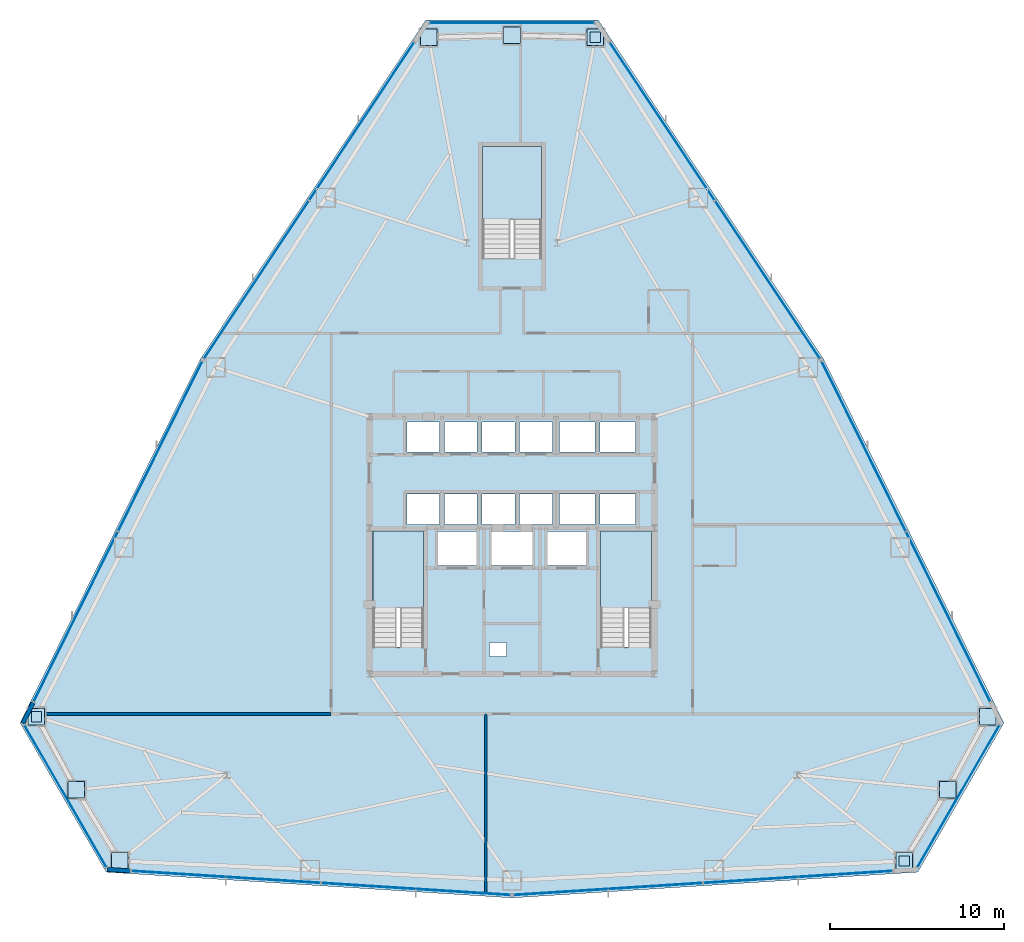
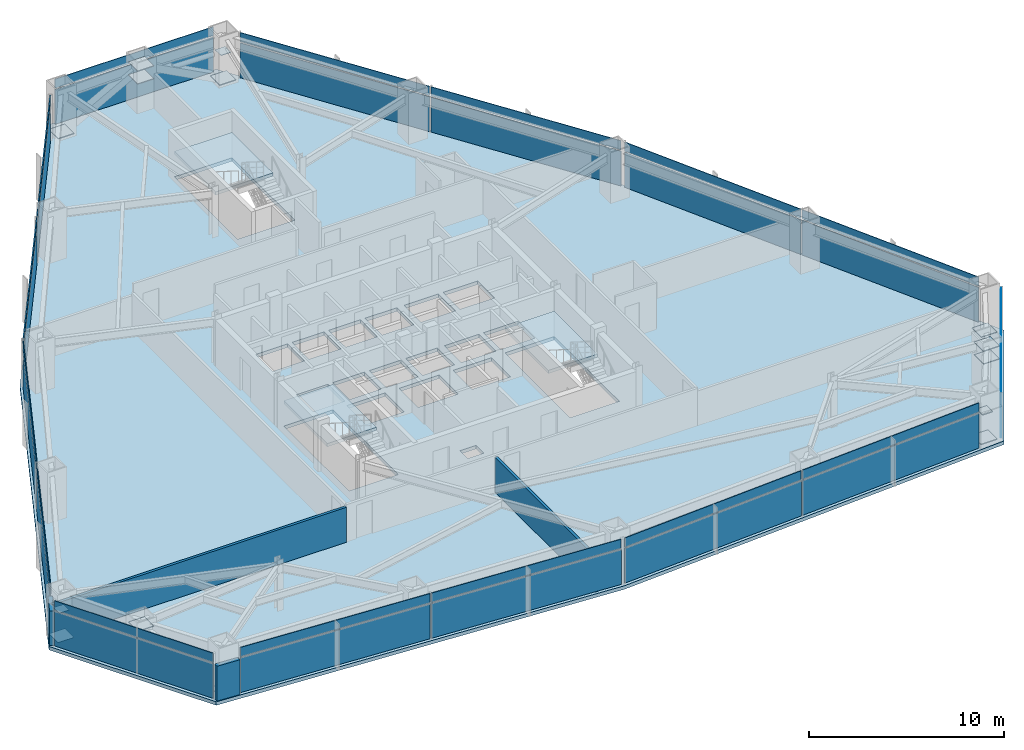
# One storey, part 8 of 12: 45 plates, 4 slabs, 4 walls, 12 elements without a shape of their own.
"""IFC4 building model written with IfcOpenShell, lengths in metres."""

from ifc_helpers import new_model, si_unit, direction, frame, frame_2d, origin, origin_2d, place, context, subcontext, project, spatial, polyline, rectangle, outline, extrude, source, transform, mapped, material, layer, layer_set, type_object, type_shapes, element, aggregate, save


model = new_model("IFC4")

# Units and contexts
model_context = context("Model", 3, precision=1e-05, world=origin(), true_north=direction((0.0, 1.0)))
body_context = subcontext(model_context, "Body", "Model", "MODEL_VIEW")
ifc_project = project(units=[si_unit("LENGTHUNIT", "METRE"), si_unit("AREAUNIT", "SQUARE_METRE"), si_unit("VOLUMEUNIT", "CUBIC_METRE"), si_unit("PLANEANGLEUNIT", "RADIAN"), si_unit("MASSUNIT", "GRAM", prefix="KILO")], contexts=[model_context])

# Site, building, storey
site_placement = place(None, origin())
site = spatial("IfcSite", under=ifc_project, at=site_placement, CompositionType="ELEMENT")
building_placement = place(site_placement, origin())
building = spatial("IfcBuilding", under=site, at=building_placement, Name="Varakhsha Concourse Tower", CompositionType="ELEMENT")
storey_placement = place(building_placement, frame((0.0, 0.0, 65.60009765625)))
storey = spatial("IfcBuildingStorey", under=building, at=storey_placement, Name="L18", CompositionType="ELEMENT", Elevation=65.60009765625)

# Slab
ifc_material_1 = material(Name="Concrete fc 45 MPa", Category="concrete")
ifc_layer_1 = layer(ifc_material_1, 0.219970703125, Name="SL-FLR-220")
ifc_layer_set_1 = layer_set([ifc_layer_1], Name="Concrete fc 45 MPa")
slab_type_1 = type_object("IfcSlabType", Name="SL-FLR-220", PredefinedType="FLOOR", material=ifc_layer_set_1)
slab_1_placement = place(storey_placement, frame((0.0, 0.0, -0.22021484375)))
element("IfcSlab", 1, at=slab_1_placement, inside=storey, type_object=slab_type_1, Name="L18 Composite Structural Slab", PredefinedType="FLOOR", context=body_context, shape_type="SweptSolid", body=[
    extrude(outline(polyline([(44.95703125, 54.013916015625), (35.04296875, 54.013916015625), (22.088623046875, 34.541015625), (11.701904296875, 13.5859375), (16.658935546875, 5.0), (40.0, 3.517822265625), (63.341064453125, 5.0), (68.298095703125, 13.5859375), (57.911376953125, 34.541015625), (44.95703125, 54.013916015625)]), holes=[polyline([(34.919921875, 17.93994140625), (34.919921875, 24.6298828125), (32.0, 24.6298828125), (32.0, 17.93994140625), (34.919921875, 17.93994140625)]), polyline([(48.02001953125, 17.93994140625), (48.02001953125, 24.6298828125), (45.10009765625, 24.6298828125), (45.10009765625, 17.93994140625), (48.02001953125, 17.93994140625)]), polyline([(41.699951171875, 40.300048828125), (41.699951171875, 46.75), (38.300048828125, 46.75), (38.300048828125, 40.300048828125), (41.699951171875, 40.300048828125)]), polyline([(33.9599609375, 29.159912109375), (35.840087890625, 29.159912109375), (35.840087890625, 30.89990234375), (33.9599609375, 30.89990234375), (33.9599609375, 29.159912109375)]), polyline([(36.1201171875, 29.159912109375), (38.0, 29.159912109375), (38.0, 30.89990234375), (36.1201171875, 30.89990234375), (36.1201171875, 29.159912109375)]), polyline([(38.280029296875, 29.159912109375), (40.159912109375, 29.159912109375), (40.159912109375, 30.89990234375), (38.280029296875, 30.89990234375), (38.280029296875, 29.159912109375)]), polyline([(40.43994140625, 29.159912109375), (42.320068359375, 29.159912109375), (42.320068359375, 30.89990234375), (40.43994140625, 30.89990234375), (40.43994140625, 29.159912109375)]), polyline([(33.9599609375, 25.0), (35.840087890625, 25.0), (35.840087890625, 26.739990234375), (33.9599609375, 26.739990234375), (33.9599609375, 25.0)]), polyline([(36.1201171875, 25.0), (38.0, 25.0), (38.0, 26.739990234375), (36.1201171875, 26.739990234375), (36.1201171875, 25.0)]), polyline([(38.280029296875, 25.0), (40.159912109375, 25.0), (40.159912109375, 26.739990234375), (38.280029296875, 26.739990234375), (38.280029296875, 25.0)]), polyline([(40.43994140625, 25.0), (42.320068359375, 25.0), (42.320068359375, 26.739990234375), (40.43994140625, 26.739990234375), (40.43994140625, 25.0)]), polyline([(42.739990234375, 29.159912109375), (44.780029296875, 29.159912109375), (44.780029296875, 30.89990234375), (42.739990234375, 30.89990234375), (42.739990234375, 29.159912109375)]), polyline([(45.06005859375, 29.159912109375), (47.10009765625, 29.159912109375), (47.10009765625, 30.89990234375), (45.06005859375, 30.89990234375), (45.06005859375, 29.159912109375)]), polyline([(42.739990234375, 25.0), (44.780029296875, 25.0), (44.780029296875, 26.739990234375), (42.739990234375, 26.739990234375), (42.739990234375, 25.0)]), polyline([(45.06005859375, 25.0), (47.10009765625, 25.0), (47.10009765625, 26.739990234375), (45.06005859375, 26.739990234375), (45.06005859375, 25.0)]), polyline([(35.7099609375, 22.639892578125), (37.989990234375, 22.639892578125), (37.989990234375, 24.60009765625), (35.7099609375, 24.60009765625), (35.7099609375, 22.639892578125)]), polyline([(42.010009765625, 22.639892578125), (44.2900390625, 22.639892578125), (44.2900390625, 24.60009765625), (42.010009765625, 24.60009765625), (42.010009765625, 22.639892578125)]), polyline([(38.81005859375, 22.639892578125), (41.18994140625, 22.639892578125), (41.18994140625, 24.60009765625), (38.81005859375, 24.60009765625), (38.81005859375, 22.639892578125)]), polyline([(38.719970703125, 17.39990234375), (39.679931640625, 17.39990234375), (39.679931640625, 18.199951171875), (38.719970703125, 18.199951171875), (38.719970703125, 17.39990234375)])]), origin(), (0.0, 0.0, 1.0), 0.22021484375),
])

# Stair, slab
stair_type_1 = type_object("IfcStairType", Name="ST-DOGLEG-1360", PredefinedType="HALF_TURN_STAIR", material=ifc_material_1)
stair_1_placement = place(storey_placement, origin())
stair_1 = element("IfcStair", 2, at=stair_1_placement, inside=storey, type_object=stair_type_1, Name="L18 Protected Exit Stair ST1", PredefinedType="HALF_TURN_STAIR")
ifc_layer_2 = layer(ifc_material_1, 0.199951171875, Name="SL-LAND-200")
ifc_layer_set_2 = layer_set([ifc_layer_2], Name="Concrete fc 45 MPa")
slab_type_2 = type_object("IfcSlabType", Name="SL-LAND-200", PredefinedType="LANDING", material=ifc_layer_set_2)
slab_2_placement = place(storey_placement, frame((0.0, 0.0, 1.39990234375)))
slab_2 = element("IfcSlab", 3, at=slab_2_placement, type_object=slab_type_2, Name="ST1 landing 1", PredefinedType="LANDING", context=body_context, shape_type="SweptSolid", body=[
    extrude(outline(polyline([(34.919921875, 20.179931640625), (34.919921875, 24.6298828125), (32.0, 24.6298828125), (32.0, 20.179931640625), (34.919921875, 20.179931640625)])), origin(), (0.0, 0.0, 1.0), 0.199951171875),
])
aggregate(stair_1, [slab_2])

stair_2_placement = place(storey_placement, origin())
stair_2 = element("IfcStair", 4, at=stair_2_placement, inside=storey, type_object=stair_type_1, Name="L18 Protected Exit Stair ST2", PredefinedType="HALF_TURN_STAIR")
slab_3_placement = place(storey_placement, frame((0.0, 0.0, 1.39990234375)))
slab_3 = element("IfcSlab", 5, at=slab_3_placement, type_object=slab_type_2, Name="ST2 landing 1", PredefinedType="LANDING", context=body_context, shape_type="SweptSolid", body=[
    extrude(outline(polyline([(48.02001953125, 20.179931640625), (48.02001953125, 24.6298828125), (45.10009765625, 24.6298828125), (45.10009765625, 20.179931640625), (48.02001953125, 20.179931640625)])), origin(), (0.0, 0.0, 1.0), 0.199951171875),
])
aggregate(stair_2, [slab_3])

stair_type_2 = type_object("IfcStairType", Name="ST-DOGLEG-1600", PredefinedType="HALF_TURN_STAIR", material=ifc_material_1)
stair_3_placement = place(storey_placement, origin())
stair_3 = element("IfcStair", 6, at=stair_3_placement, inside=storey, type_object=stair_type_2, Name="L18 Protected Exit Stair ST5", PredefinedType="HALF_TURN_STAIR")
slab_4_placement = place(storey_placement, frame((0.0, 0.0, 1.39990234375)))
slab_4 = element("IfcSlab", 7, at=slab_4_placement, type_object=slab_type_2, Name="ST5 landing 1", PredefinedType="LANDING", context=body_context, shape_type="SweptSolid", body=[
    extrude(outline(polyline([(41.699951171875, 42.5400390625), (41.699951171875, 46.75), (38.300048828125, 46.75), (38.300048828125, 42.5400390625), (41.699951171875, 42.5400390625)])), origin(), (0.0, 0.0, 1.0), 0.199951171875),
])
aggregate(stair_3, [slab_4])

# Plates
ifc_material_2 = material(Name="Structural Steel ASTM A572 Grade 50", Category="steel")
ifc_layer_3 = layer(ifc_material_2, 0.030029296875, Name="PL-ENDCAP-950")
ifc_layer_set_3 = layer_set([ifc_layer_3], Name="Structural Steel ASTM A572 Grade 50")
plate_type_1 = type_object("IfcPlateType", Name="PL-ENDCAP-950", PredefinedType="USERDEFINED", material=ifc_layer_set_3)
shared_shape_1 = source(origin(), body_context, "Body", "SweptSolid", [
    extrude(rectangle(XDim=0.949951171875, YDim=0.949951171875, at=origin_2d()), origin(), (0.0, 0.0, 1.0), 0.030029296875),
])
type_shapes(plate_type_1, [shared_shape_1])
for number, where, z_axis, x_axis, name in (
    (8, (44.791015625, 53.015625, 0.10498046875), (0.0, 0.0, 1.0), (1.0, 0.0, 0.0), "Hollow Section End Cap GP-NODE-L18-0130"),
    (9, (40.0, 53.134033203125, 2.5849609375), (0.0, 0.0, 1.0), (1.0, 0.0, 0.0), "Hollow Section End Cap GP-NODE-L18-0131"),
    (10, (35.208984375, 53.015625, 0.10498046875), (0.0, 0.0, 1.0), (1.0, 0.0, 0.0), "Hollow Section End Cap GP-NODE-L18-0132"),
    (11, (12.6494140625, 13.94140625, 0.10498046875), (0.0, 0.0, 1.0), (1.0, 0.0, 0.0), "Hollow Section End Cap GP-NODE-L18-0133"),
    (12, (14.9423828125, 9.73291015625, 2.5849609375), (0.0, 0.0, 1.0), (1.0, 0.0, 0.0), "Hollow Section End Cap GP-NODE-L18-0134"),
    (13, (17.4404296875, 5.642822265625, 0.10498046875), (0.0, 0.0, 1.0), (1.0, 0.0, 0.0), "Hollow Section End Cap GP-NODE-L18-0135"),
    (14, (62.5595703125, 5.642822265625, 0.10498046875), (0.0, 0.0, 1.0), (1.0, 0.0, 0.0), "Hollow Section End Cap GP-NODE-L18-0136"),
    (15, (65.0576171875, 9.73291015625, 2.5849609375), (0.0, 0.0, 1.0), (1.0, 0.0, 0.0), "Hollow Section End Cap GP-NODE-L18-0137"),
    (16, (67.3505859375, 13.94140625, 0.10498046875), (0.0, 0.0, 1.0), (1.0, 0.0, 0.0), "Hollow Section End Cap GP-NODE-L18-0138"),
    (17, (40.0, 53.134033203125, 1.78466796875), (0.0, 0.0, 1.0), (1.0, 0.0, 0.0), "Hollow Section End Cap GP-NODE-L18-0139"),
    (18, (14.9423828125, 9.73291015625, 1.78466796875), (0.0, 0.0, 1.0), (1.0, 0.0, 0.0), "Hollow Section End Cap GP-NODE-L18-0140"),
    (19, (65.0576171875, 9.73291015625, 1.78466796875), (0.0, 0.0, 1.0), (1.0, 0.0, 0.0), "Hollow Section End Cap GP-NODE-L18-0141"),
):
    element("IfcPlate", number, at=place(storey_placement, frame(where, z_axis=z_axis, x_axis=x_axis)), inside=storey, type_object=plate_type_1, Name=name, ObjectType="END PLATE", PredefinedType="USERDEFINED", context=body_context, shape_type="MappedRepresentation", body=[
        mapped(shared_shape_1, transform((0.0, 0.0, 0.0), scale=1.0)),
    ])
ifc_layer_4 = layer(ifc_material_2, 0.030029296875, Name="PL-BASE-600")
ifc_layer_set_4 = layer_set([ifc_layer_4], Name="Structural Steel ASTM A572 Grade 50")
plate_type_2 = type_object("IfcPlateType", Name="PL-BASE-600", PredefinedType="SHEET", material=ifc_layer_set_4)
shared_shape_2 = source(origin(), body_context, "Body", "SweptSolid", [
    extrude(rectangle(XDim=0.60009765625, YDim=0.60009765625, at=origin_2d()), origin(), (0.0, 0.0, 1.0), 0.030029296875),
])
type_shapes(plate_type_2, [shared_shape_2])
for number, where, z_axis, x_axis, name in (
    (20, (44.791015625, 53.015625, 1.78466796875), (0.0, 0.0, 1.0), (1.0, 0.0, 0.0), "Hollow Section End Cap BP-WTIE-L18-1"),
    (21, (12.6494140625, 13.94140625, 1.78466796875), (0.0, 0.0, 1.0), (1.0, 0.0, 0.0), "Hollow Section End Cap BP-WTIE-L18-2"),
    (22, (62.5595703125, 5.642822265625, 1.78466796875), (0.0, 0.0, 1.0), (1.0, 0.0, 0.0), "Hollow Section End Cap BP-WTIE-L18-3"),
):
    element("IfcPlate", number, at=place(storey_placement, frame(where, z_axis=z_axis, x_axis=x_axis)), inside=storey, type_object=plate_type_2, Name=name, PredefinedType="SHEET", context=body_context, shape_type="MappedRepresentation", body=[
        mapped(shared_shape_2, transform((0.0, 0.0, 0.0), scale=1.0)),
    ])

# Curtain wall, plate
ifc_material_3 = material(Name="Anodised Bronze Architectural Aluminium AA 6063-T6", Category="aluminium")
ifc_layer_5 = layer(ifc_material_3, 0.219970703125, Name="CW-SYS-02")
ifc_layer_set_5 = layer_set([ifc_layer_5], Name="Anodised Bronze Architectural Aluminium AA 6063-T6")
curtain_wall_type = type_object("IfcCurtainWallType", Name="CW-SYS-02", PredefinedType="NOTDEFINED", material=ifc_layer_set_5)
curtain_wall_1_placement = place(storey_placement, origin())
curtain_wall_1 = element("IfcCurtainWall", 23, at=curtain_wall_1_placement, inside=storey, type_object=curtain_wall_type, Name="L18 Chamfer Curtain Wall F1", PredefinedType="NOTDEFINED")
ifc_material_4 = material(Name="Glazed Turquoise-Bronze Ceramic Spandrel Panel 38 mm", Category="ceramic")
ifc_layer_6 = layer(ifc_material_4, 0.0380859375, Name="CWP-SPN-38")
ifc_layer_set_6 = layer_set([ifc_layer_6], Name="Glazed Turquoise-Bronze Ceramic Spandrel Panel 38 mm")
plate_type_3 = type_object("IfcPlateType", Name="CWP-SPN-38", PredefinedType="USERDEFINED", material=ifc_layer_set_6)
shared_shape_3 = source(origin(), body_context, "Body", "SweptSolid", [
    extrude(rectangle(XDim=9.395263671875, YDim=0.0380859375, at=origin_2d()), origin(), (0.0, 0.0, 1.0), 0.5810546875),
])
plate_1_placement = place(storey_placement, frame((40.0, 53.85400390625, 2.284423828125), z_axis=(0.0, 0.0, 1.0), x_axis=(1.0, 0.0, 0.0)))
plate_1 = element("IfcPlate", 24, at=plate_1_placement, type_object=plate_type_3, Name="CW-L18-F1 Panel 00-01", ObjectType="SPANDREL", PredefinedType="USERDEFINED", context=body_context, shape_type="MappedRepresentation", body=[
    mapped(shared_shape_3, transform((0.0, 0.0, 0.0), scale=1.0)),
])

curtain_wall_2_placement = place(storey_placement, origin())
curtain_wall_2 = element("IfcCurtainWall", 25, at=curtain_wall_2_placement, inside=storey, type_object=curtain_wall_type, Name="L18 Chamfer Curtain Wall F4", PredefinedType="NOTDEFINED")
plate_2_placement = place(storey_placement, frame((14.319091796875, 9.373046875, 2.284423828125), z_axis=(0.0, 0.0, 1.0), x_axis=(-0.499995465495, 0.866028021766, 0.0)))
plate_2 = element("IfcPlate", 26, at=plate_2_placement, type_object=plate_type_3, Name="CW-L18-F4 Panel 00-01", ObjectType="SPANDREL", PredefinedType="USERDEFINED", context=body_context, shape_type="MappedRepresentation", body=[
    mapped(shared_shape_3, transform((0.0, 0.0, 0.0), scale=1.0)),
])

curtain_wall_3_placement = place(storey_placement, origin())
curtain_wall_3 = element("IfcCurtainWall", 27, at=curtain_wall_3_placement, inside=storey, type_object=curtain_wall_type, Name="L18 Chamfer Curtain Wall F7", PredefinedType="NOTDEFINED")
plate_3_placement = place(storey_placement, frame((65.680908203125, 9.373046875, 2.284423828125), z_axis=(0.0, 0.0, 1.0), x_axis=(-0.499995465495, -0.866028021766, 0.0)))
plate_3 = element("IfcPlate", 28, at=plate_3_placement, type_object=plate_type_3, Name="CW-L18-F7 Panel 00-01", ObjectType="SPANDREL", PredefinedType="USERDEFINED", context=body_context, shape_type="MappedRepresentation", body=[
    mapped(shared_shape_3, transform((0.0, 0.0, 0.0), scale=1.0)),
])

# Curtain wall, plates
curtain_wall_4_placement = place(storey_placement, origin())
curtain_wall_4 = element("IfcCurtainWall", 29, at=curtain_wall_4_placement, inside=storey, type_object=curtain_wall_type, Name="L18 Crystal Curtain Wall F2", PredefinedType="NOTDEFINED")
shared_shape_4 = source(origin(), body_context, "Body", "SweptSolid", [
    extrude(rectangle(XDim=10.864990234375, YDim=0.0380859375, at=origin_2d()), origin(), (0.0, 0.0, 1.0), 0.5810546875),
])
type_shapes(plate_type_3, [shared_shape_3, shared_shape_4])
plate_4_placement = place(storey_placement, frame((25.297119140625, 39.0751953125, 2.284423828125), z_axis=(0.0, 0.0, 1.0), x_axis=(0.553879904586, 0.832596571753, 0.0)))
plate_4 = element("IfcPlate", 30, at=plate_4_placement, type_object=plate_type_3, Name="CW-L18-F2 Panel 00-01", ObjectType="SPANDREL", PredefinedType="USERDEFINED", context=body_context, shape_type="MappedRepresentation", body=[
    mapped(shared_shape_4, transform((0.0, 0.0, 0.0), scale=1.0)),
])
plate_5_placement = place(storey_placement, frame((31.35888671875, 48.18701171875, 2.284423828125), z_axis=(0.0, 0.0, 1.0), x_axis=(0.553879904586, 0.832596571753, 0.0)))
plate_5 = element("IfcPlate", 31, at=plate_5_placement, type_object=plate_type_3, Name="CW-L18-F2 Panel 01-01", ObjectType="SPANDREL", PredefinedType="USERDEFINED", context=body_context, shape_type="MappedRepresentation", body=[
    mapped(shared_shape_4, transform((0.0, 0.0, 0.0), scale=1.0)),
])

curtain_wall_5_placement = place(storey_placement, origin())
curtain_wall_5 = element("IfcCurtainWall", 32, at=curtain_wall_5_placement, inside=storey, type_object=curtain_wall_type, Name="L18 Crystal Curtain Wall F3", PredefinedType="NOTDEFINED")
plate_6_placement = place(storey_placement, frame((14.906005859375, 19.690185546875, 2.284423828125), z_axis=(0.0, 0.0, 1.0), x_axis=(0.444109829949, 0.895972353894, 0.0)))
plate_6 = element("IfcPlate", 33, at=plate_6_placement, type_object=plate_type_3, Name="CW-L18-F3 Panel 00-01", ObjectType="SPANDREL", PredefinedType="USERDEFINED", context=body_context, shape_type="MappedRepresentation", body=[
    mapped(shared_shape_4, transform((0.0, 0.0, 0.0), scale=1.0)),
])
plate_7_placement = place(storey_placement, frame((19.766357421875, 29.49560546875, 2.284423828125), z_axis=(0.0, 0.0, 1.0), x_axis=(0.444109829949, 0.895972353894, 0.0)))
plate_7 = element("IfcPlate", 34, at=plate_7_placement, type_object=plate_type_3, Name="CW-L18-F3 Panel 01-01", ObjectType="SPANDREL", PredefinedType="USERDEFINED", context=body_context, shape_type="MappedRepresentation", body=[
    mapped(shared_shape_4, transform((0.0, 0.0, 0.0), scale=1.0)),
])

curtain_wall_6_placement = place(storey_placement, origin())
curtain_wall_6 = element("IfcCurtainWall", 35, at=curtain_wall_6_placement, inside=storey, type_object=curtain_wall_type, Name="L18 Crystal Curtain Wall F5", PredefinedType="NOTDEFINED")
plate_8_placement = place(storey_placement, frame((34.46923828125, 4.029296875, 2.284423828125), z_axis=(0.0, 0.0, 1.0), x_axis=(-0.997989623922, 0.063377523961, 0.0)))
plate_8 = element("IfcPlate", 36, at=plate_8_placement, type_object=plate_type_3, Name="CW-L18-F5 Panel 00-01", ObjectType="SPANDREL", PredefinedType="USERDEFINED", context=body_context, shape_type="MappedRepresentation", body=[
    mapped(shared_shape_4, transform((0.0, 0.0, 0.0), scale=1.0)),
])
plate_9_placement = place(storey_placement, frame((23.547119140625, 4.722900390625, 2.284423828125), z_axis=(0.0, 0.0, 1.0), x_axis=(-0.997989623922, 0.063377523961, 0.0)))
plate_9 = element("IfcPlate", 37, at=plate_9_placement, type_object=plate_type_3, Name="CW-L18-F5 Panel 01-01", ObjectType="SPANDREL", PredefinedType="USERDEFINED", context=body_context, shape_type="MappedRepresentation", body=[
    mapped(shared_shape_4, transform((0.0, 0.0, 0.0), scale=1.0)),
])

curtain_wall_7_placement = place(storey_placement, origin())
curtain_wall_7 = element("IfcCurtainWall", 38, at=curtain_wall_7_placement, inside=storey, type_object=curtain_wall_type, Name="L18 Crystal Curtain Wall F6", PredefinedType="NOTDEFINED")
plate_10_placement = place(storey_placement, frame((56.452880859375, 4.722900390625, 2.284423828125), z_axis=(0.0, 0.0, 1.0), x_axis=(-0.997989623922, -0.063377523961, 0.0)))
plate_10 = element("IfcPlate", 39, at=plate_10_placement, type_object=plate_type_3, Name="CW-L18-F6 Panel 00-01", ObjectType="SPANDREL", PredefinedType="USERDEFINED", context=body_context, shape_type="MappedRepresentation", body=[
    mapped(shared_shape_4, transform((0.0, 0.0, 0.0), scale=1.0)),
])
plate_11_placement = place(storey_placement, frame((45.53076171875, 4.029296875, 2.284423828125), z_axis=(0.0, 0.0, 1.0), x_axis=(-0.997989623922, -0.063377523961, 0.0)))
plate_11 = element("IfcPlate", 40, at=plate_11_placement, type_object=plate_type_3, Name="CW-L18-F6 Panel 01-01", ObjectType="SPANDREL", PredefinedType="USERDEFINED", context=body_context, shape_type="MappedRepresentation", body=[
    mapped(shared_shape_4, transform((0.0, 0.0, 0.0), scale=1.0)),
])

curtain_wall_8_placement = place(storey_placement, origin())
curtain_wall_8 = element("IfcCurtainWall", 41, at=curtain_wall_8_placement, inside=storey, type_object=curtain_wall_type, Name="L18 Crystal Curtain Wall F8", PredefinedType="NOTDEFINED")
plate_12_placement = place(storey_placement, frame((60.233642578125, 29.49560546875, 2.284423828125), z_axis=(0.0, 0.0, 1.0), x_axis=(0.444109829949, -0.895972353894, 0.0)))
plate_12 = element("IfcPlate", 42, at=plate_12_placement, type_object=plate_type_3, Name="CW-L18-F8 Panel 00-01", ObjectType="SPANDREL", PredefinedType="USERDEFINED", context=body_context, shape_type="MappedRepresentation", body=[
    mapped(shared_shape_4, transform((0.0, 0.0, 0.0), scale=1.0)),
])
plate_13_placement = place(storey_placement, frame((65.093994140625, 19.68994140625, 2.284423828125), z_axis=(0.0, 0.0, 1.0), x_axis=(0.444109829949, -0.895972353894, 0.0)))
plate_13 = element("IfcPlate", 43, at=plate_13_placement, type_object=plate_type_3, Name="CW-L18-F8 Panel 01-01", ObjectType="SPANDREL", PredefinedType="USERDEFINED", context=body_context, shape_type="MappedRepresentation", body=[
    mapped(shared_shape_4, transform((0.0, 0.0, 0.0), scale=1.0)),
])

curtain_wall_9_placement = place(storey_placement, origin())
curtain_wall_9 = element("IfcCurtainWall", 44, at=curtain_wall_9_placement, inside=storey, type_object=curtain_wall_type, Name="L18 Crystal Curtain Wall F9", PredefinedType="NOTDEFINED")
plate_14_placement = place(storey_placement, frame((48.641357421875, 48.18701171875, 2.284423828125), z_axis=(0.0, 0.0, 1.0), x_axis=(0.553879904586, -0.832596571753, 0.0)))
plate_14 = element("IfcPlate", 45, at=plate_14_placement, type_object=plate_type_3, Name="CW-L18-F9 Panel 00-01", ObjectType="SPANDREL", PredefinedType="USERDEFINED", context=body_context, shape_type="MappedRepresentation", body=[
    mapped(shared_shape_4, transform((0.0, 0.0, 0.0), scale=1.0)),
])
plate_15_placement = place(storey_placement, frame((54.702880859375, 39.0751953125, 2.284423828125), z_axis=(0.0, 0.0, 1.0), x_axis=(0.553879904586, -0.832596571753, 0.0)))
plate_15 = element("IfcPlate", 46, at=plate_15_placement, type_object=plate_type_3, Name="CW-L18-F9 Panel 01-01", ObjectType="SPANDREL", PredefinedType="USERDEFINED", context=body_context, shape_type="MappedRepresentation", body=[
    mapped(shared_shape_4, transform((0.0, 0.0, 0.0), scale=1.0)),
])

# Plate
ifc_material_5 = material(Name="Insulated Anodised Bronze Aluminium Spandrel 36 mm", Category="aluminium")
ifc_layer_7 = layer(ifc_material_5, 0.035888671875, Name="CWP-SPN-36")
ifc_layer_set_7 = layer_set([ifc_layer_7], Name="Insulated Anodised Bronze Aluminium Spandrel 36 mm")
plate_type_4 = type_object("IfcPlateType", Name="CWP-SPN-36", PredefinedType="USERDEFINED", material=ifc_layer_set_7)
shared_shape_5 = source(origin(), body_context, "Body", "SweptSolid", [
    extrude(rectangle(XDim=9.395263671875, YDim=0.035888671875, at=origin_2d()), origin(), (0.0, 0.0, 1.0), 2.180908203125),
])
type_shapes(plate_type_4, [shared_shape_5])
plate_16_placement = place(storey_placement, frame((40.0, 53.85400390625, 0.03466796875), z_axis=(0.0, 0.0, 1.0), x_axis=(1.0, 0.0, 0.0)))
plate_16 = element("IfcPlate", 47, at=plate_16_placement, type_object=plate_type_4, Name="CW-L18-F1 Panel 00-00", ObjectType="SPANDREL", PredefinedType="USERDEFINED", context=body_context, shape_type="MappedRepresentation", body=[
    mapped(shared_shape_5, transform((0.0, 0.0, 0.0), scale=1.0)),
])

aggregate(curtain_wall_1, [plate_16, plate_1])

plate_17_placement = place(storey_placement, frame((14.319091796875, 9.373046875, 0.03466796875), z_axis=(0.0, 0.0, 1.0), x_axis=(-0.499995465495, 0.866028021766, 0.0)))
plate_17 = element("IfcPlate", 48, at=plate_17_placement, type_object=plate_type_4, Name="CW-L18-F4 Panel 00-00", ObjectType="SPANDREL", PredefinedType="USERDEFINED", context=body_context, shape_type="MappedRepresentation", body=[
    mapped(shared_shape_5, transform((0.0, 0.0, 0.0), scale=1.0)),
])

aggregate(curtain_wall_2, [plate_17, plate_2])

plate_18_placement = place(storey_placement, frame((65.680908203125, 9.373046875, 0.03466796875), z_axis=(0.0, 0.0, 1.0), x_axis=(-0.499995465495, -0.866028021766, 0.0)))
plate_18 = element("IfcPlate", 49, at=plate_18_placement, type_object=plate_type_4, Name="CW-L18-F7 Panel 00-00", ObjectType="SPANDREL", PredefinedType="USERDEFINED", context=body_context, shape_type="MappedRepresentation", body=[
    mapped(shared_shape_5, transform((0.0, 0.0, 0.0), scale=1.0)),
])

aggregate(curtain_wall_3, [plate_18, plate_3])

ifc_material_6 = material(Name="Low-E Triple Insulating Glass IGU 44 mm", Category="glass")
ifc_layer_8 = layer(ifc_material_6, 0.0439453125, Name="CWP-IGU-44")
ifc_layer_set_8 = layer_set([ifc_layer_8], Name="Low-E Triple Insulating Glass IGU 44 mm")
plate_type_5 = type_object("IfcPlateType", Name="CWP-IGU-44", PredefinedType="CURTAIN_PANEL", material=ifc_layer_set_8)
shared_shape_6 = source(origin(), body_context, "Body", "SweptSolid", [
    extrude(rectangle(XDim=10.864990234375, YDim=0.0439453125, at=origin_2d()), origin(), (0.0, 0.0, 1.0), 2.180908203125),
])
type_shapes(plate_type_5, [shared_shape_6])
plate_19_placement = place(storey_placement, frame((25.297119140625, 39.0751953125, 0.03466796875), z_axis=(0.0, 0.0, 1.0), x_axis=(0.553879904586, 0.832596571753, 0.0)))
plate_19 = element("IfcPlate", 50, at=plate_19_placement, type_object=plate_type_5, Name="CW-L18-F2 Panel 00-00", PredefinedType="CURTAIN_PANEL", context=body_context, shape_type="MappedRepresentation", body=[
    mapped(shared_shape_6, transform((0.0, 0.0, 0.0), scale=1.0)),
])

plate_20_placement = place(storey_placement, frame((31.35888671875, 48.18701171875, 0.03466796875), z_axis=(0.0, 0.0, 1.0), x_axis=(0.553879904586, 0.832596571753, 0.0)))
plate_20 = element("IfcPlate", 51, at=plate_20_placement, type_object=plate_type_5, Name="CW-L18-F2 Panel 01-00", PredefinedType="CURTAIN_PANEL", context=body_context, shape_type="MappedRepresentation", body=[
    mapped(shared_shape_6, transform((0.0, 0.0, 0.0), scale=1.0)),
])

aggregate(curtain_wall_4, [plate_19, plate_4, plate_20, plate_5])

plate_21_placement = place(storey_placement, frame((14.906005859375, 19.690185546875, 0.03466796875), z_axis=(0.0, 0.0, 1.0), x_axis=(0.444109829949, 0.895972353894, 0.0)))
plate_21 = element("IfcPlate", 52, at=plate_21_placement, type_object=plate_type_5, Name="CW-L18-F3 Panel 00-00", PredefinedType="CURTAIN_PANEL", context=body_context, shape_type="MappedRepresentation", body=[
    mapped(shared_shape_6, transform((0.0, 0.0, 0.0), scale=1.0)),
])

plate_22_placement = place(storey_placement, frame((19.766357421875, 29.49560546875, 0.03466796875), z_axis=(0.0, 0.0, 1.0), x_axis=(0.444109829949, 0.895972353894, 0.0)))
plate_22 = element("IfcPlate", 53, at=plate_22_placement, type_object=plate_type_5, Name="CW-L18-F3 Panel 01-00", PredefinedType="CURTAIN_PANEL", context=body_context, shape_type="MappedRepresentation", body=[
    mapped(shared_shape_6, transform((0.0, 0.0, 0.0), scale=1.0)),
])

aggregate(curtain_wall_5, [plate_21, plate_6, plate_22, plate_7])

plate_23_placement = place(storey_placement, frame((34.46923828125, 4.029296875, 0.03466796875), z_axis=(0.0, 0.0, 1.0), x_axis=(-0.997989623922, 0.063377523961, 0.0)))
plate_23 = element("IfcPlate", 54, at=plate_23_placement, type_object=plate_type_5, Name="CW-L18-F5 Panel 00-00", PredefinedType="CURTAIN_PANEL", context=body_context, shape_type="MappedRepresentation", body=[
    mapped(shared_shape_6, transform((0.0, 0.0, 0.0), scale=1.0)),
])

plate_24_placement = place(storey_placement, frame((23.547119140625, 4.722900390625, 0.03466796875), z_axis=(0.0, 0.0, 1.0), x_axis=(-0.997989623922, 0.063377523961, 0.0)))
plate_24 = element("IfcPlate", 55, at=plate_24_placement, type_object=plate_type_5, Name="CW-L18-F5 Panel 01-00", PredefinedType="CURTAIN_PANEL", context=body_context, shape_type="MappedRepresentation", body=[
    mapped(shared_shape_6, transform((0.0, 0.0, 0.0), scale=1.0)),
])

aggregate(curtain_wall_6, [plate_23, plate_8, plate_24, plate_9])

plate_25_placement = place(storey_placement, frame((56.452880859375, 4.722900390625, 0.03466796875), z_axis=(0.0, 0.0, 1.0), x_axis=(-0.997989623922, -0.063377523961, 0.0)))
plate_25 = element("IfcPlate", 56, at=plate_25_placement, type_object=plate_type_5, Name="CW-L18-F6 Panel 00-00", PredefinedType="CURTAIN_PANEL", context=body_context, shape_type="MappedRepresentation", body=[
    mapped(shared_shape_6, transform((0.0, 0.0, 0.0), scale=1.0)),
])

plate_26_placement = place(storey_placement, frame((45.53076171875, 4.029296875, 0.03466796875), z_axis=(0.0, 0.0, 1.0), x_axis=(-0.997989623922, -0.063377523961, 0.0)))
plate_26 = element("IfcPlate", 57, at=plate_26_placement, type_object=plate_type_5, Name="CW-L18-F6 Panel 01-00", PredefinedType="CURTAIN_PANEL", context=body_context, shape_type="MappedRepresentation", body=[
    mapped(shared_shape_6, transform((0.0, 0.0, 0.0), scale=1.0)),
])

aggregate(curtain_wall_7, [plate_25, plate_10, plate_26, plate_11])

plate_27_placement = place(storey_placement, frame((60.233642578125, 29.49560546875, 0.03466796875), z_axis=(0.0, 0.0, 1.0), x_axis=(0.444109829949, -0.895972353894, 0.0)))
plate_27 = element("IfcPlate", 58, at=plate_27_placement, type_object=plate_type_5, Name="CW-L18-F8 Panel 00-00", PredefinedType="CURTAIN_PANEL", context=body_context, shape_type="MappedRepresentation", body=[
    mapped(shared_shape_6, transform((0.0, 0.0, 0.0), scale=1.0)),
])

plate_28_placement = place(storey_placement, frame((65.093994140625, 19.68994140625, 0.03466796875), z_axis=(0.0, 0.0, 1.0), x_axis=(0.444109829949, -0.895972353894, 0.0)))
plate_28 = element("IfcPlate", 59, at=plate_28_placement, type_object=plate_type_5, Name="CW-L18-F8 Panel 01-00", PredefinedType="CURTAIN_PANEL", context=body_context, shape_type="MappedRepresentation", body=[
    mapped(shared_shape_6, transform((0.0, 0.0, 0.0), scale=1.0)),
])

aggregate(curtain_wall_8, [plate_27, plate_12, plate_28, plate_13])

plate_29_placement = place(storey_placement, frame((48.641357421875, 48.18701171875, 0.03466796875), z_axis=(0.0, 0.0, 1.0), x_axis=(0.553879904586, -0.832596571753, 0.0)))
plate_29 = element("IfcPlate", 60, at=plate_29_placement, type_object=plate_type_5, Name="CW-L18-F9 Panel 00-00", PredefinedType="CURTAIN_PANEL", context=body_context, shape_type="MappedRepresentation", body=[
    mapped(shared_shape_6, transform((0.0, 0.0, 0.0), scale=1.0)),
])

plate_30_placement = place(storey_placement, frame((54.702880859375, 39.0751953125, 0.03466796875), z_axis=(0.0, 0.0, 1.0), x_axis=(0.553879904586, -0.832596571753, 0.0)))
plate_30 = element("IfcPlate", 61, at=plate_30_placement, type_object=plate_type_5, Name="CW-L18-F9 Panel 01-00", PredefinedType="CURTAIN_PANEL", context=body_context, shape_type="MappedRepresentation", body=[
    mapped(shared_shape_6, transform((0.0, 0.0, 0.0), scale=1.0)),
])

aggregate(curtain_wall_9, [plate_29, plate_14, plate_30, plate_15])

# Walls
ifc_layer_9 = layer(ifc_material_1, 0.239990234375, Name="WL-EXT-CRN-240")
ifc_layer_set_9 = layer_set([ifc_layer_9], Name="Concrete fc 45 MPa")
wall_type_1 = type_object("IfcWallType", Name="WL-EXT-CRN-240", PredefinedType="SHEAR", material=ifc_layer_set_9)
wall_1_placement = place(storey_placement, frame((12.458984375, 14.753662109375, 0.0), z_axis=(0.0, 0.0, 1.0), x_axis=(-0.444037765369, -0.896008070793, 0.0)))
element("IfcWall", 62, at=wall_1_placement, inside=storey, type_object=wall_type_1, Name="L18 Wind-Corner Shoulder Wall F3", PredefinedType="SHEAR", context=body_context, shape_type="SweptSolid", body=[
    extrude(rectangle(XDim=1.323486328125, YDim=0.239990234375, at=frame_2d((0.66162109375, 0.0))), origin(), (0.0, 0.0, 1.0), 2.182861328125),
])
wall_2_placement = place(storey_placement, frame((16.727783203125, 5.156005859375, 0.0), z_axis=(0.0, 0.0, 1.0), x_axis=(0.997985265632, -0.063446115575, 0.0)))
element("IfcWall", 63, at=wall_2_placement, inside=storey, type_object=wall_type_1, Name="L18 Wind-Corner Shoulder Wall F5", PredefinedType="SHEAR", context=body_context, shape_type="SweptSolid", body=[
    extrude(rectangle(XDim=1.32373046875, YDim=0.239990234375, at=frame_2d((0.661865234375, 0.0))), origin(), (0.0, 0.0, 1.0), 2.182861328125),
])
ifc_material_7 = material(Name="Fire-Rated Type X Gypsum Partition Assembly", Category="gypsum")
ifc_layer_10 = layer(ifc_material_7, 0.14990234375, Name="WL-PART-150")
ifc_layer_set_10 = layer_set([ifc_layer_10], Name="Fire-Rated Type X Gypsum Partition Assembly")
wall_type_2 = type_object("IfcWallType", Name="WL-PART-150", PredefinedType="PARTITIONING", material=ifc_layer_set_10)
wall_3_placement = place(storey_placement, frame((38.5, 3.7783203125, 0.0), z_axis=(0.0, 0.0, 1.0), x_axis=(0.0, 1.0, 0.0)))
element("IfcWall", 64, at=wall_3_placement, inside=storey, type_object=wall_type_2, Name="L18 Wall HDIV-S1-L18", PredefinedType="PARTITIONING", context=body_context, shape_type="SweptSolid", body=[
    extrude(rectangle(XDim=10.32177734375, YDim=0.14990234375, at=frame_2d((5.160888671875, 0.0))), origin(), (0.0, 0.0, 1.0), 2.18798828125),
])
wall_4_placement = place(storey_placement, frame((12.140625, 14.10009765625, 0.0), z_axis=(0.0, 0.0, 1.0), x_axis=(1.0, 0.0, 0.0)))
element("IfcWall", 65, at=wall_4_placement, inside=storey, type_object=wall_type_2, Name="L18 Wall HDIV-WB0-L18", PredefinedType="PARTITIONING", context=body_context, shape_type="SweptSolid", body=[
    extrude(rectangle(XDim=17.45947265625, YDim=0.14990234375, at=frame_2d((8.729736328125, 0.0))), origin(), (0.0, 0.0, 1.0), 2.18798828125),
])

save(model, "model.ifc")
